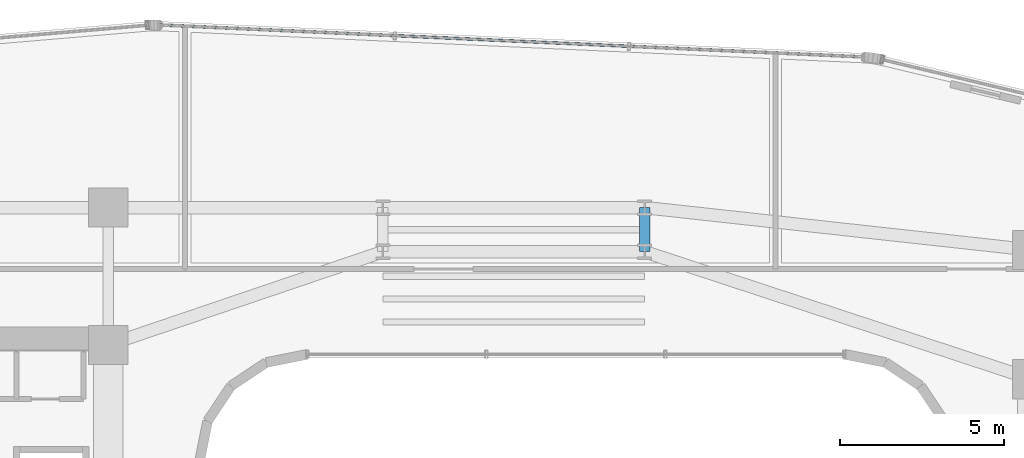
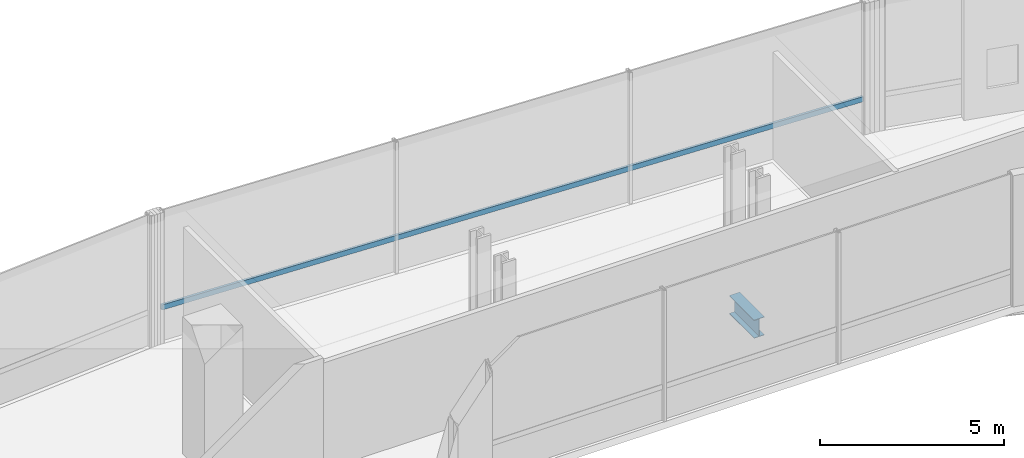
# One storey, part 20 of 32: 1 beam, 1 member, 1 element without a shape of its own.
"""IFC4 building model written with IfcOpenShell, lengths in metres."""

from ifc_helpers import new_model, si_unit, direction, frame, origin, origin_2d, place, context, subcontext, project, spatial, hollow_rectangle, i_section, extrude, source, transform, mapped, material, material_profile, profile_set, type_object, element, aggregate, save


model = new_model("IFC4")

# Units and contexts
model_context = context("Model", 3, precision=1e-05, world=origin(), true_north=direction((0.0, 1.0)))
body_context = subcontext(model_context, "Body", "Model", "MODEL_VIEW")
ifc_project = project(units=[si_unit("LENGTHUNIT", "METRE"), si_unit("AREAUNIT", "SQUARE_METRE"), si_unit("VOLUMEUNIT", "CUBIC_METRE"), si_unit("PLANEANGLEUNIT", "RADIAN"), si_unit("MASSUNIT", "GRAM", prefix="KILO")], contexts=[model_context])

# Site, building, storey
site_placement = place(None, origin())
site = spatial("IfcSite", under=ifc_project, at=site_placement, CompositionType="ELEMENT")
building_placement = place(site_placement, origin())
building = spatial("IfcBuilding", under=site, at=building_placement, Name="Valdorenza Pilgrim Sanctuary Tower", CompositionType="ELEMENT")
storey_placement = place(building_placement, frame((0.0, 0.0, 101.10009765625)))
storey = spatial("IfcBuildingStorey", under=building, at=storey_placement, Name="L25", CompositionType="ELEMENT", Elevation=101.10009765625)

# Beam
ifc_material_1 = material(Name="Steel ASTM A992 Grade 50", Category="steel")
ifc_material_profile_1 = material_profile(ifc_material_1, i_section(OverallWidth=0.323974609375, OverallDepth=0.611083984375, WebThickness=0.0126953125, FlangeThickness=0.01904296875, at=origin_2d()), Name="W24X104")
ifc_profile_set_1 = profile_set([ifc_material_profile_1], Name="Steel ASTM A992 Grade 50")
beam_type = type_object("IfcBeamType", Name="STR-BM-GRD-W24B", PredefinedType="BEAM", material=ifc_profile_set_1)
shared_shape_1 = source(origin(), body_context, "Body", "SweptSolid", [
    extrude(i_section(OverallWidth=0.323974609375, OverallDepth=0.611083984375, WebThickness=0.0126953125, FlangeThickness=0.01904296875, at=origin_2d()), origin(), (0.0, 0.0, 1.0), 1.35009765625),
])
beam_placement = place(storey_placement, frame((4.0, 13.449951171875, -0.545654296875), z_axis=(0.0, 1.0, 0.0), x_axis=(-1.0, 0.0, 0.0)))
element("IfcBeam", 1, at=beam_placement, inside=storey, type_object=beam_type, Name="L25 Floor Girder KNK-TIE-E", PredefinedType="BEAM", context=body_context, shape_type="MappedRepresentation", body=[
    mapped(shared_shape_1, transform((0.0, 0.0, 0.0), x_axis=(1.0, 0.0, 0.0), y_axis=(0.0, 1.0, 0.0), z_axis=(0.0, 0.0, 1.0), scale=1.0)),
])

# Curtain wall, member
ifc_material_2 = material(Name="Curtain-wall IGU glazing", Category="glass")
curtain_wall_type = type_object("IfcCurtainWallType", Name="CW-SYS-04", PredefinedType="NOTDEFINED", material=ifc_material_2)
curtain_wall_placement = place(storey_placement, origin())
curtain_wall = element("IfcCurtainWall", 2, at=curtain_wall_placement, inside=storey, type_object=curtain_wall_type, Name="L25 Curtain Wall CW-L25-1-11", PredefinedType="NOTDEFINED")
ifc_material_3 = material(Name="Anodised aluminium AW-6060", Category="aluminium")
ifc_material_profile_2 = material_profile(ifc_material_3, hollow_rectangle(XDim=0.080078125, YDim=0.169921875, WallThickness=0.00390625, at=origin_2d()), Name="ALU-T 170x80x4")
ifc_profile_set_2 = profile_set([ifc_material_profile_2], Name="Anodised aluminium AW-6060")
member_type = type_object("IfcMemberType", Name="CW-TRN-04", PredefinedType="USERDEFINED", material=ifc_profile_set_2)
shared_shape_2 = source(origin(), body_context, "Body", "SweptSolid", [
    extrude(hollow_rectangle(XDim=0.080078125, YDim=0.169921875, WallThickness=0.00390625, at=origin_2d()), origin(), (0.0, 0.0, 1.0), 21.5078125),
])
member_placement = place(storey_placement, frame((-10.795654296875, 20.380615234375, 1.119873046875), z_axis=(0.99896865723, -0.045405086403, 0.0), x_axis=(0.045405086403, 0.99896865723, 0.0)))
member = element("IfcMember", 3, at=member_placement, type_object=member_type, Name="CW-L25-1-11 Transom 1", ObjectType="TRANSOM", PredefinedType="USERDEFINED", context=body_context, shape_type="MappedRepresentation", body=[
    mapped(shared_shape_2, transform((0.0, 0.0, 0.0), x_axis=(1.0, 0.0, 0.0), y_axis=(0.0, 1.0, 0.0), z_axis=(0.0, 0.0, 1.0), scale=1.0)),
])
aggregate(curtain_wall, [member])

save(model, "model.ifc")
